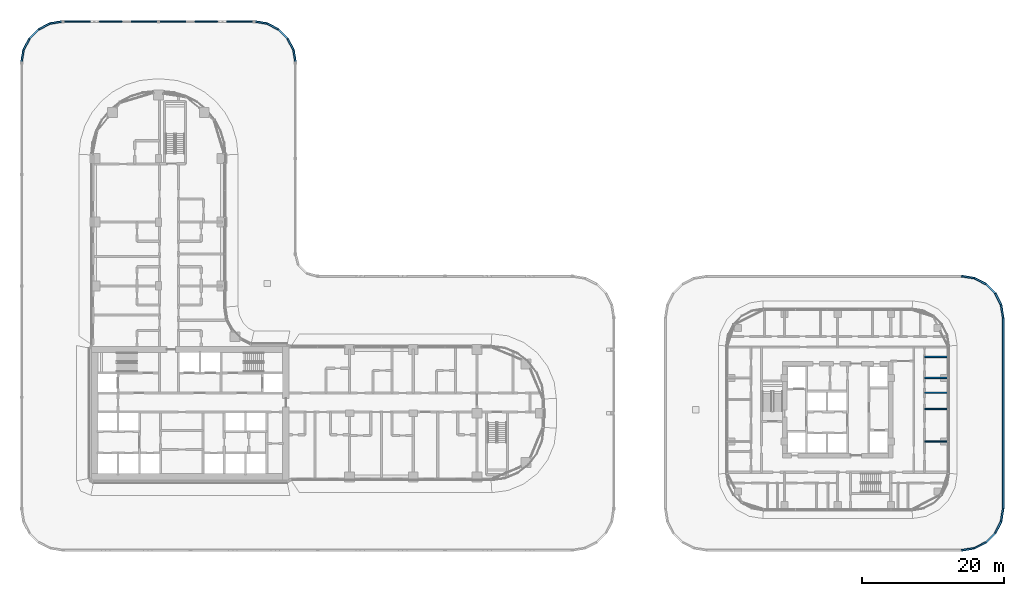
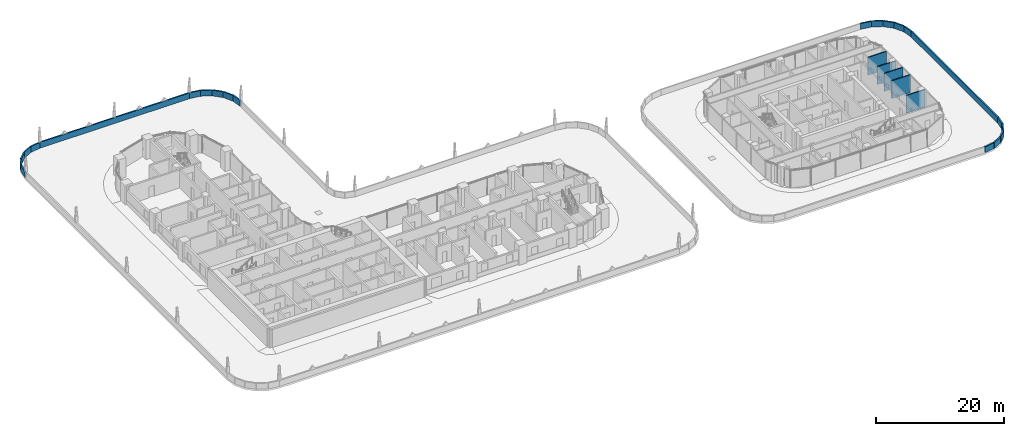
# One storey, part 32 of 51: 27 walls.
"""IFC4 building model written with IfcOpenShell, lengths in metres."""

from ifc_helpers import new_model, si_unit, direction, frame, frame_2d, origin, place, context, subcontext, project, spatial, rectangle, extrude, material, layer, layer_set, type_object, element, save


model = new_model("IFC4")

# Units and contexts
model_context = context("Model", 3, precision=1e-05, world=origin(), true_north=direction((0.0, 1.0)))
body_context = subcontext(model_context, "Body", "Model", "MODEL_VIEW")
ifc_project = project(units=[si_unit("LENGTHUNIT", "METRE"), si_unit("AREAUNIT", "SQUARE_METRE"), si_unit("VOLUMEUNIT", "CUBIC_METRE"), si_unit("PLANEANGLEUNIT", "RADIAN"), si_unit("MASSUNIT", "GRAM", prefix="KILO")], contexts=[model_context])

# Site, building, storey
site_placement = place(None, origin())
site = spatial("IfcSite", under=ifc_project, at=site_placement, CompositionType="ELEMENT")
building_placement = place(site_placement, origin())
building = spatial("IfcBuilding", under=site, at=building_placement, Name="Ogive Portal Towers", CompositionType="ELEMENT")
storey_placement = place(building_placement, frame((0.0, 0.0, 33.5)))
storey = spatial("IfcBuildingStorey", under=building, at=storey_placement, Name="L06", CompositionType="ELEMENT", Elevation=33.5)

# Walls
ifc_material_1 = material(Name="Limestone cladding on lightweight block wall", Category="masonry")
ifc_layer_1 = layer(ifc_material_1, 0.25)
ifc_layer_set_1 = layer_set([ifc_layer_1], Name="PARAPET 250 STONE")
wall_type_1 = type_object("IfcWallType", Name="PARAPET 250 STONE", PredefinedType="PARAPET", material=ifc_layer_set_1)
wall_1_placement = place(storey_placement, frame((59.87353515625, 80.0, 0.0), z_axis=(0.0, 0.0, 1.0), x_axis=(-0.156466017699, 0.987683342628, 0.0)))
element("IfcWall", 1, at=wall_1_placement, inside=storey, type_object=wall_type_1, Name="A:L06:proof0:para23", PredefinedType="PARAPET", context=body_context, shape_type="SweptSolid", body=[
    extrude(rectangle(XDim=1.81787109375, YDim=0.25, at=frame_2d((0.908935546875, 0.0))), origin(), (0.0, 0.0, 1.0), 1.10009765625),
])
wall_2_placement = place(storey_placement, frame((59.576904296875, 81.83251953125, 0.0), z_axis=(0.0, 0.0, 1.0), x_axis=(-0.453935951982, 0.891034315556, 0.0)))
element("IfcWall", 2, at=wall_2_placement, inside=storey, type_object=wall_type_1, Name="A:L06:proof0:para24", PredefinedType="PARAPET", context=body_context, shape_type="SweptSolid", body=[
    extrude(rectangle(XDim=1.7978515625, YDim=0.25, at=frame_2d((0.89892578125, 0.0))), origin(), (0.0, 0.0, 1.0), 1.10009765625),
])
wall_3_placement = place(storey_placement, frame((58.73779296875, 83.46630859375, 0.0), z_axis=(0.0, 0.0, 1.0), x_axis=(-0.707106781187, 0.707106781187, 0.0)))
element("IfcWall", 3, at=wall_3_placement, inside=storey, type_object=wall_type_1, Name="A:L06:proof0:para25", PredefinedType="PARAPET", context=body_context, shape_type="SweptSolid", body=[
    extrude(rectangle(XDim=1.798095703125, YDim=0.25, at=frame_2d((0.89892578125, 0.0))), origin(), (0.0, 0.0, 1.0), 1.10009765625),
])
wall_4_placement = place(storey_placement, frame((57.4345703125, 84.7607421875, 0.0), z_axis=(0.0, 0.0, 1.0), x_axis=(-0.891034315556, 0.453935951982, 0.0)))
element("IfcWall", 4, at=wall_4_placement, inside=storey, type_object=wall_type_1, Name="A:L06:proof0:para26", PredefinedType="PARAPET", context=body_context, shape_type="SweptSolid", body=[
    extrude(rectangle(XDim=1.7978515625, YDim=0.25, at=frame_2d((0.89892578125, 0.0))), origin(), (0.0, 0.0, 1.0), 1.10009765625),
])
wall_5_placement = place(storey_placement, frame((55.79541015625, 85.589111328125, 0.0), z_axis=(0.0, 0.0, 1.0), x_axis=(-0.987683342628, 0.156466017699, 0.0)))
element("IfcWall", 5, at=wall_5_placement, inside=storey, type_object=wall_type_1, Name="A:L06:proof0:para27", PredefinedType="PARAPET", context=body_context, shape_type="SweptSolid", body=[
    extrude(rectangle(XDim=1.81787109375, YDim=0.25, at=frame_2d((0.908935546875, 0.0))), origin(), (0.0, 0.0, 1.0), 1.10009765625),
])
wall_6_placement = place(storey_placement, frame((53.980224609375, 85.875, 0.0), z_axis=(0.0, 0.0, 1.0), x_axis=(-1.0, 0.0, 0.0)))
element("IfcWall", 6, at=wall_6_placement, inside=storey, type_object=wall_type_1, Name="A:L06:proof0:para28", PredefinedType="PARAPET", context=body_context, shape_type="SweptSolid", body=[
    extrude(rectangle(XDim=26.96044921875, YDim=0.25, at=frame_2d((13.480224609375, 0.0))), origin(), (0.0, 0.0, 1.0), 1.10009765625),
])
wall_7_placement = place(storey_placement, frame((27.0, 85.87353515625, 0.0), z_axis=(0.0, 0.0, 1.0), x_axis=(-0.987683342628, -0.156466017699, 0.0)))
element("IfcWall", 7, at=wall_7_placement, inside=storey, type_object=wall_type_1, Name="A:L06:proof0:para29", PredefinedType="PARAPET", context=body_context, shape_type="SweptSolid", body=[
    extrude(rectangle(XDim=1.81787109375, YDim=0.25, at=frame_2d((0.908935546875, 0.0))), origin(), (0.0, 0.0, 1.0), 1.10009765625),
])
wall_8_placement = place(storey_placement, frame((25.16748046875, 85.576904296875, 0.0), z_axis=(0.0, 0.0, 1.0), x_axis=(-0.891034315556, -0.453935951982, 0.0)))
element("IfcWall", 8, at=wall_8_placement, inside=storey, type_object=wall_type_1, Name="A:L06:proof0:para30", PredefinedType="PARAPET", context=body_context, shape_type="SweptSolid", body=[
    extrude(rectangle(XDim=1.7978515625, YDim=0.25, at=frame_2d((0.89892578125, 0.0))), origin(), (0.0, 0.0, 1.0), 1.10009765625),
])
wall_9_placement = place(storey_placement, frame((23.53369140625, 84.73779296875, 0.0), z_axis=(0.0, 0.0, 1.0), x_axis=(-0.707106781187, -0.707106781187, 0.0)))
element("IfcWall", 9, at=wall_9_placement, inside=storey, type_object=wall_type_1, Name="A:L06:proof0:para31", PredefinedType="PARAPET", context=body_context, shape_type="SweptSolid", body=[
    extrude(rectangle(XDim=1.798095703125, YDim=0.25, at=frame_2d((0.89892578125, 0.0))), origin(), (0.0, 0.0, 1.0), 1.10009765625),
])
wall_10_placement = place(storey_placement, frame((22.2392578125, 83.4345703125, 0.0), z_axis=(0.0, 0.0, 1.0), x_axis=(-0.453935951982, -0.891034315556, 0.0)))
element("IfcWall", 10, at=wall_10_placement, inside=storey, type_object=wall_type_1, Name="A:L06:proof0:para32", PredefinedType="PARAPET", context=body_context, shape_type="SweptSolid", body=[
    extrude(rectangle(XDim=1.7978515625, YDim=0.25, at=frame_2d((0.89892578125, 0.0))), origin(), (0.0, 0.0, 1.0), 1.10009765625),
])
for number, where, z_axis, x_axis, name in (
    (11, (21.410888671875, 81.79541015625, 0.0), (0.0, 0.0, 1.0), (-0.156466017699, -0.987683342628, 0.0), "A:L06:proof0:para33"),
    (12, (154.0, 11.12646484375, 0.0), (0.0, 0.0, 1.0), (0.987683342628, 0.156466017699, 0.0), "B:L06:proof0:para07"),
):
    element("IfcWall", number, at=place(storey_placement, frame(where, z_axis=z_axis, x_axis=x_axis)), inside=storey, type_object=wall_type_1, Name=name, PredefinedType="PARAPET", context=body_context, shape_type="SweptSolid", body=[
        extrude(rectangle(XDim=1.81787109375, YDim=0.25, at=frame_2d((0.908935546875, 0.0))), origin(), (0.0, 0.0, 1.0), 1.10009765625),
    ])
wall_11_placement = place(storey_placement, frame((155.83251953125, 11.423095703125, 0.0), z_axis=(0.0, 0.0, 1.0), x_axis=(0.891034315556, 0.453935951982, 0.0)))
element("IfcWall", 13, at=wall_11_placement, inside=storey, type_object=wall_type_1, Name="B:L06:proof0:para08", PredefinedType="PARAPET", context=body_context, shape_type="SweptSolid", body=[
    extrude(rectangle(XDim=1.7978515625, YDim=0.25, at=frame_2d((0.89892578125, 0.0))), origin(), (0.0, 0.0, 1.0), 1.10009765625),
])
wall_12_placement = place(storey_placement, frame((157.46630859375, 12.26220703125, 0.0), z_axis=(0.0, 0.0, 1.0), x_axis=(0.707106781187, 0.707106781187, 0.0)))
element("IfcWall", 14, at=wall_12_placement, inside=storey, type_object=wall_type_1, Name="B:L06:proof0:para09", PredefinedType="PARAPET", context=body_context, shape_type="SweptSolid", body=[
    extrude(rectangle(XDim=1.798095703125, YDim=0.25, at=frame_2d((0.89892578125, 0.0))), origin(), (0.0, 0.0, 1.0), 1.10009765625),
])
wall_13_placement = place(storey_placement, frame((158.7607421875, 13.5654296875, 0.0), z_axis=(0.0, 0.0, 1.0), x_axis=(0.453935951982, 0.891034315556, 0.0)))
element("IfcWall", 15, at=wall_13_placement, inside=storey, type_object=wall_type_1, Name="B:L06:proof0:para10", PredefinedType="PARAPET", context=body_context, shape_type="SweptSolid", body=[
    extrude(rectangle(XDim=1.7978515625, YDim=0.25, at=frame_2d((0.89892578125, 0.0))), origin(), (0.0, 0.0, 1.0), 1.10009765625),
])
wall_14_placement = place(storey_placement, frame((159.589111328125, 15.20458984375, 0.0), z_axis=(0.0, 0.0, 1.0), x_axis=(0.156466017699, 0.987683342628, 0.0)))
element("IfcWall", 16, at=wall_14_placement, inside=storey, type_object=wall_type_1, Name="B:L06:proof0:para11", PredefinedType="PARAPET", context=body_context, shape_type="SweptSolid", body=[
    extrude(rectangle(XDim=1.81787109375, YDim=0.25, at=frame_2d((0.908935546875, 0.0))), origin(), (0.0, 0.0, 1.0), 1.10009765625),
])
wall_15_placement = place(storey_placement, frame((159.875, 17.019775390625, 0.0), z_axis=(0.0, 0.0, 1.0), x_axis=(0.0, 1.0, 0.0)))
element("IfcWall", 17, at=wall_15_placement, inside=storey, type_object=wall_type_1, Name="B:L06:proof0:para12", PredefinedType="PARAPET", context=body_context, shape_type="SweptSolid", body=[
    extrude(rectangle(XDim=26.96044921875, YDim=0.25, at=frame_2d((13.480224609375, 0.0))), origin(), (0.0, 0.0, 1.0), 1.10009765625),
])
wall_16_placement = place(storey_placement, frame((159.87353515625, 44.0, 0.0), z_axis=(0.0, 0.0, 1.0), x_axis=(-0.156466017699, 0.987683342628, 0.0)))
element("IfcWall", 18, at=wall_16_placement, inside=storey, type_object=wall_type_1, Name="B:L06:proof0:para13", PredefinedType="PARAPET", context=body_context, shape_type="SweptSolid", body=[
    extrude(rectangle(XDim=1.81787109375, YDim=0.25, at=frame_2d((0.908935546875, 0.0))), origin(), (0.0, 0.0, 1.0), 1.10009765625),
])
wall_17_placement = place(storey_placement, frame((159.576904296875, 45.83251953125, 0.0), z_axis=(0.0, 0.0, 1.0), x_axis=(-0.453935951982, 0.891034315556, 0.0)))
element("IfcWall", 19, at=wall_17_placement, inside=storey, type_object=wall_type_1, Name="B:L06:proof0:para14", PredefinedType="PARAPET", context=body_context, shape_type="SweptSolid", body=[
    extrude(rectangle(XDim=1.7978515625, YDim=0.25, at=frame_2d((0.89892578125, 0.0))), origin(), (0.0, 0.0, 1.0), 1.10009765625),
])
wall_18_placement = place(storey_placement, frame((158.73779296875, 47.46630859375, 0.0), z_axis=(0.0, 0.0, 1.0), x_axis=(-0.707106781187, 0.707106781187, 0.0)))
element("IfcWall", 20, at=wall_18_placement, inside=storey, type_object=wall_type_1, Name="B:L06:proof0:para15", PredefinedType="PARAPET", context=body_context, shape_type="SweptSolid", body=[
    extrude(rectangle(XDim=1.798095703125, YDim=0.25, at=frame_2d((0.89892578125, 0.0))), origin(), (0.0, 0.0, 1.0), 1.10009765625),
])
wall_19_placement = place(storey_placement, frame((157.4345703125, 48.7607421875, 0.0), z_axis=(0.0, 0.0, 1.0), x_axis=(-0.891034315556, 0.453935951982, 0.0)))
element("IfcWall", 21, at=wall_19_placement, inside=storey, type_object=wall_type_1, Name="B:L06:proof0:para16", PredefinedType="PARAPET", context=body_context, shape_type="SweptSolid", body=[
    extrude(rectangle(XDim=1.7978515625, YDim=0.25, at=frame_2d((0.89892578125, 0.0))), origin(), (0.0, 0.0, 1.0), 1.10009765625),
])
wall_20_placement = place(storey_placement, frame((155.79541015625, 49.589111328125, 0.0), z_axis=(0.0, 0.0, 1.0), x_axis=(-0.987683342628, 0.156466017699, 0.0)))
element("IfcWall", 22, at=wall_20_placement, inside=storey, type_object=wall_type_1, Name="B:L06:proof0:para17", PredefinedType="PARAPET", context=body_context, shape_type="SweptSolid", body=[
    extrude(rectangle(XDim=1.81787109375, YDim=0.25, at=frame_2d((0.908935546875, 0.0))), origin(), (0.0, 0.0, 1.0), 1.10009765625),
])
ifc_material_2 = material(Name="Gypsum board partition on steel studs", Category="steel")
ifc_layer_2 = layer(ifc_material_2, 0.199951171875)
ifc_layer_set_2 = layer_set([ifc_layer_2], Name="WT-PART-200-EI 60")
wall_type_2 = type_object("IfcWallType", Name="WT-PART-200-EI 60", PredefinedType="PARTITIONING", material=ifc_layer_set_2)
for number, where, z_axis, x_axis, name in (
    (23, (148.77001953125, 26.5, 0.0), (0.0, 0.0, 1.0), (1.0, 0.0, 0.0), "Wall L06:w009"),
    (24, (148.77001953125, 31.091064453125, 0.0), (0.0, 0.0, 1.0), (1.0, 0.0, 0.0), "Wall L06:w011"),
    (25, (148.77001953125, 33.39111328125, 0.0), (0.0, 0.0, 1.0), (1.0, 0.0, 0.0), "Wall L06:w013"),
    (26, (148.77001953125, 35.5, 0.0), (0.0, 0.0, 1.0), (1.0, 0.0, 0.0), "Wall L06:w016"),
    (27, (148.77001953125, 38.4560546875, 0.0), (0.0, 0.0, 1.0), (1.0, 0.0, 0.0), "Wall L06:w019"),
):
    element("IfcWall", number, at=place(storey_placement, frame(where, z_axis=z_axis, x_axis=x_axis)), inside=storey, type_object=wall_type_2, Name=name, PredefinedType="PARTITIONING", context=body_context, shape_type="SweptSolid", body=[
        extrude(rectangle(XDim=3.340087890625, YDim=0.199951171875, at=frame_2d((1.669921875, 0.0))), origin(), (0.0, 0.0, 1.0), 3.39990234375),
    ])

save(model, "model.ifc")
